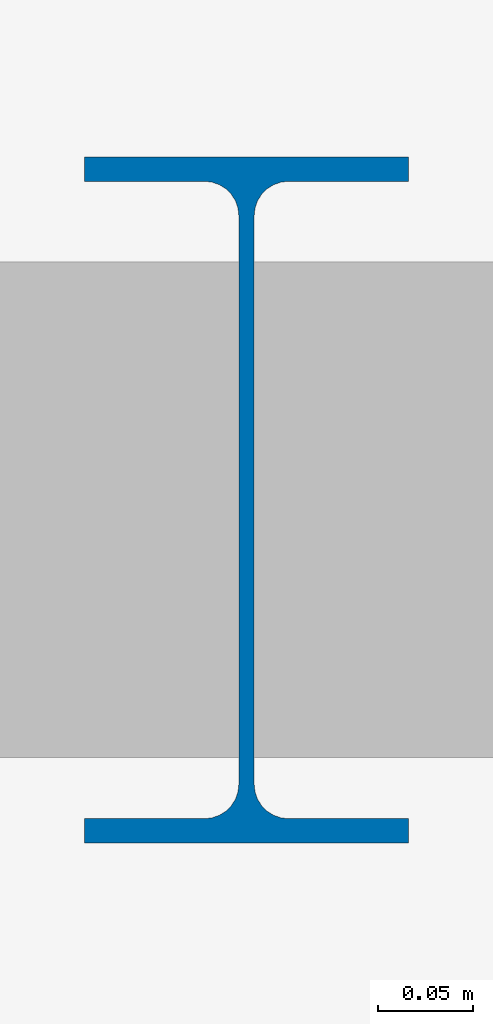
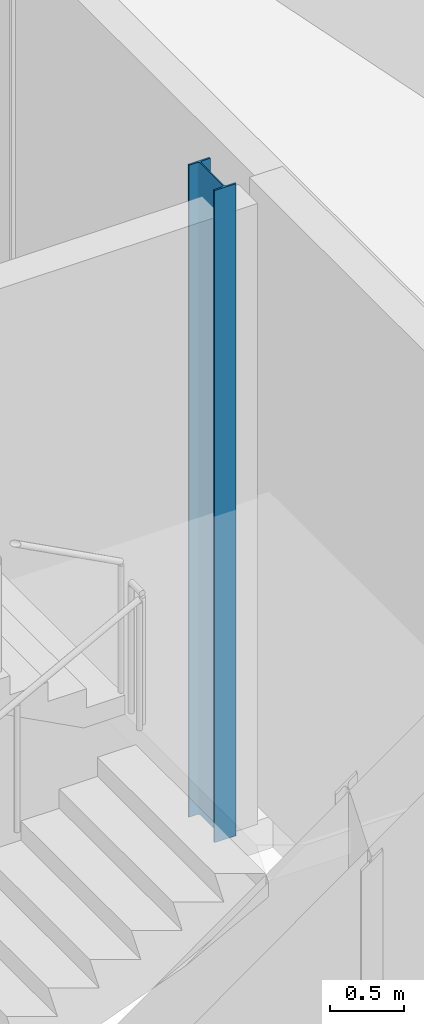
# One storey, part 17 of 84: 1 column.
"""IFC4 building model written with IfcOpenShell, lengths in metres."""

from ifc_helpers import new_model, si_unit, direction, frame, origin, origin_2d, place, context, subcontext, project, spatial, i_section, extrude, material, material_profile, profile_set, type_object, element, save


model = new_model("IFC4")

# Units and contexts
model_context = context("Model", 3, precision=1e-05, world=origin(), true_north=direction((0.0, 1.0)))
body_context = subcontext(model_context, "Body", "Model", "MODEL_VIEW")
ifc_project = project(units=[si_unit("LENGTHUNIT", "METRE"), si_unit("AREAUNIT", "SQUARE_METRE"), si_unit("VOLUMEUNIT", "CUBIC_METRE"), si_unit("PLANEANGLEUNIT", "RADIAN"), si_unit("MASSUNIT", "GRAM", prefix="KILO")], contexts=[model_context])

# Site, building, storey
site_placement = place(None, origin())
site = spatial("IfcSite", under=ifc_project, at=site_placement, CompositionType="ELEMENT")
building_placement = place(site_placement, origin())
building = spatial("IfcBuilding", under=site, at=building_placement, Name="Zevrakil Square Congress Hotel", CompositionType="ELEMENT")
storey_placement = place(building_placement, origin())
storey = spatial("IfcBuildingStorey", under=building, at=storey_placement, Name="L01", CompositionType="ELEMENT", Elevation=0.0)

# Column
ifc_material = material(Name="Steel S355", Category="steel")
ifc_material_profile = material_profile(ifc_material, i_section(OverallWidth=0.169921875, OverallDepth=0.360107421875, WebThickness=0.008056640625, FlangeThickness=0.0126953125, FilletRadius=0.01806640625, at=origin_2d()), Name="IPE 360")
ifc_profile_set = profile_set([ifc_material_profile], Name="Steel S355")
column_type = type_object("IfcColumnType", Name="COL-PILASTER-SHS180", PredefinedType="PILASTER", material=ifc_profile_set)
column_placement = place(storey_placement, frame((116.580078125, 89.050048828125, 0.0), z_axis=(0.0, 0.0, 1.0), x_axis=(1.0, 0.0, 0.0)))
element("IfcColumn", 1, at=column_placement, inside=storey, type_object=column_type, Name="L01 ST06 stair shaft post 3", PredefinedType="PILASTER", context=body_context, shape_type="SweptSolid", body=[
    extrude(i_section(OverallWidth=0.169921875, OverallDepth=0.360107421875, WebThickness=0.008056640625, FlangeThickness=0.0126953125, FilletRadius=0.01806640625, at=origin_2d()), origin(), (0.0, 0.0, 1.0), 5.39990234375),
])

save(model, "model.ifc")
